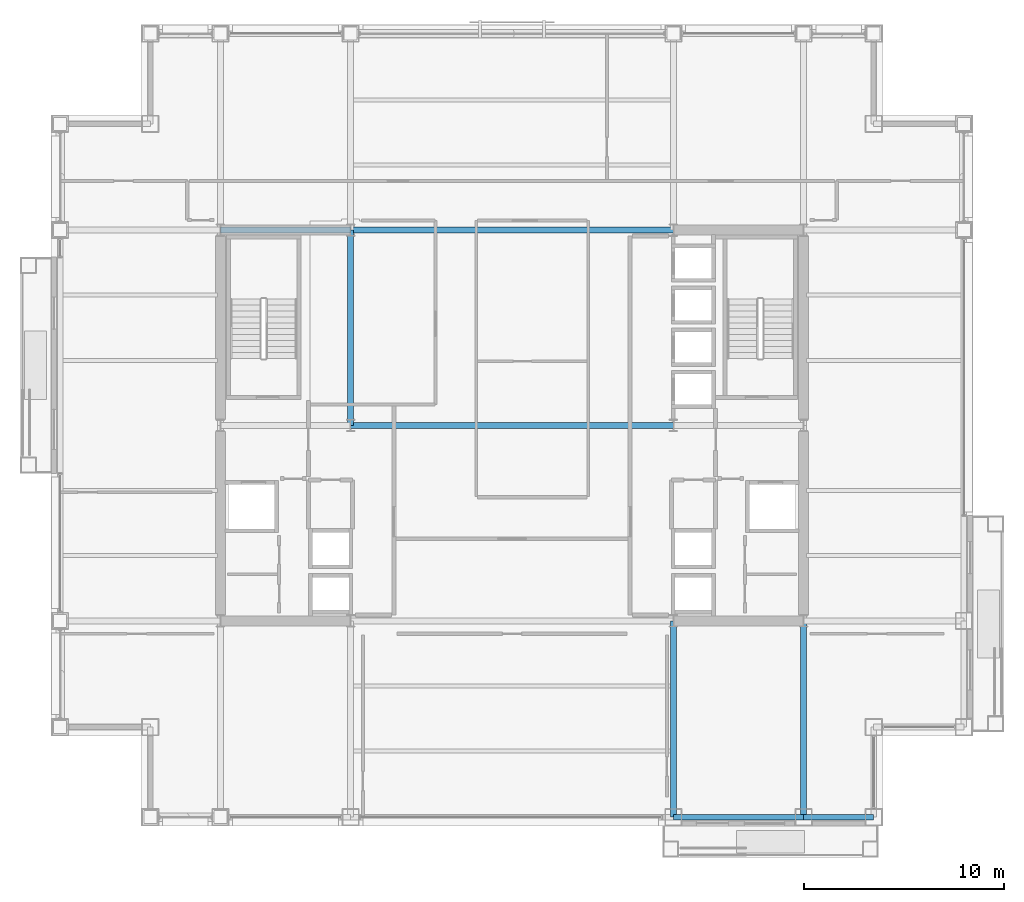
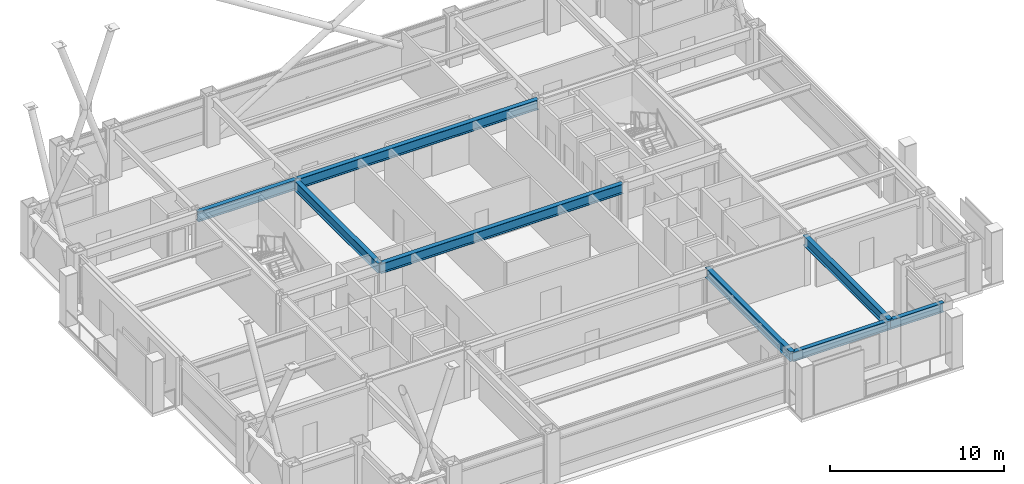
# One storey, part 13 of 34: 8 beams.
"""IFC4 building model written with IfcOpenShell, lengths in metres."""

from ifc_helpers import new_model, si_unit, direction, frame, origin, origin_2d, place, context, subcontext, project, spatial, i_section, extrude, material, material_profile, profile_set, type_object, element, save


model = new_model("IFC4")

# Units and contexts
model_context = context("Model", 3, precision=1e-05, world=origin(), true_north=direction((0.0, 1.0)))
body_context = subcontext(model_context, "Body", "Model", "MODEL_VIEW")
ifc_project = project(units=[si_unit("LENGTHUNIT", "METRE"), si_unit("AREAUNIT", "SQUARE_METRE"), si_unit("VOLUMEUNIT", "CUBIC_METRE"), si_unit("PLANEANGLEUNIT", "RADIAN"), si_unit("MASSUNIT", "GRAM", prefix="KILO")], contexts=[model_context])

# Site, building, storey
site_placement = place(None, origin())
site = spatial("IfcSite", under=ifc_project, at=site_placement, CompositionType="ELEMENT")
building_placement = place(site_placement, origin())
building = spatial("IfcBuilding", under=site, at=building_placement, Name="Brelmoor Portico Tower", CompositionType="ELEMENT")
storey_placement = place(building_placement, frame((0.0, 0.0, 99.0)))
storey = spatial("IfcBuildingStorey", under=building, at=storey_placement, Name="L25", CompositionType="ELEMENT", Elevation=99.0)

# Beams
ifc_material = material(Name="Steel Q355B", Category="steel")
ifc_material_profile_1 = material_profile(ifc_material, i_section(OverallWidth=0.300048828125, OverallDepth=0.699951171875, WebThickness=0.012939453125, FlangeThickness=0.02392578125, at=origin_2d()), Name="HN 700x300x13x24")
ifc_profile_set_1 = profile_set([ifc_material_profile_1], Name="Steel Q355B")
beam_type_1 = type_object("IfcBeamType", Name="BM-PG-700", PredefinedType="BEAM", material=ifc_profile_set_1)
beam_1_placement = place(storey_placement, frame((-8.050048828125, 0.0, 3.050048828125), z_axis=(0.0, 1.0, 0.0), x_axis=(-1.0, 0.0, 0.0)))
element("IfcBeam", 1, at=beam_1_placement, inside=storey, type_object=beam_type_1, Name="L25 Primary Floor Girder PG-06", PredefinedType="BEAM", context=body_context, shape_type="SweptSolid", body=[
    extrude(i_section(OverallWidth=0.300048828125, OverallDepth=0.699951171875, WebThickness=0.012939453125, FlangeThickness=0.02392578125, at=origin_2d()), origin(), (0.0, 0.0, 1.0), 9.75),
])
for number, where, z_axis, x_axis, name in (
    (2, (8.050048828125, -19.550048828125, 3.050048828125), (0.0, 1.0, 0.0), (-1.0, 0.0, 0.0), "L25 Primary Floor Girder PG-08"),
    (3, (14.550048828125, -19.550048828125, 3.050048828125), (0.0, 1.0, 0.0), (-1.0, 0.0, 0.0), "L25 Primary Floor Girder PG-10"),
):
    element("IfcBeam", number, at=place(storey_placement, frame(where, z_axis=z_axis, x_axis=x_axis)), inside=storey, type_object=beam_type_1, Name=name, PredefinedType="BEAM", context=body_context, shape_type="SweptSolid", body=[
        extrude(i_section(OverallWidth=0.300048828125, OverallDepth=0.699951171875, WebThickness=0.012939453125, FlangeThickness=0.02392578125, at=origin_2d()), origin(), (0.0, 0.0, 1.0), 9.800048828125),
    ])
beam_2_placement = place(storey_placement, frame((-8.050048828125, 0.0, 3.050048828125), z_axis=(1.0, 0.0, 0.0), x_axis=(0.0, 1.0, 0.0)))
element("IfcBeam", 4, at=beam_2_placement, inside=storey, type_object=beam_type_1, Name="L25 Primary Floor Girder PG-20", PredefinedType="BEAM", context=body_context, shape_type="SweptSolid", body=[
    extrude(i_section(OverallWidth=0.300048828125, OverallDepth=0.699951171875, WebThickness=0.012939453125, FlangeThickness=0.02392578125, at=origin_2d()), origin(), (0.0, 0.0, 1.0), 16.10009765625),
])
beam_3_placement = place(storey_placement, frame((-14.550048828125, 9.75, 3.050048828125), z_axis=(1.0, 0.0, 0.0), x_axis=(0.0, 1.0, 0.0)))
element("IfcBeam", 5, at=beam_3_placement, inside=storey, type_object=beam_type_1, Name="L25 Primary Floor Girder PG-23", PredefinedType="BEAM", context=body_context, shape_type="SweptSolid", body=[
    extrude(i_section(OverallWidth=0.300048828125, OverallDepth=0.699951171875, WebThickness=0.012939453125, FlangeThickness=0.02392578125, at=origin_2d()), origin(), (0.0, 0.0, 1.0), 6.5),
])
beam_4_placement = place(storey_placement, frame((-8.050048828125, 9.75, 3.050048828125), z_axis=(1.0, 0.0, 0.0), x_axis=(0.0, 1.0, 0.0)))
element("IfcBeam", 6, at=beam_4_placement, inside=storey, type_object=beam_type_1, Name="L25 Primary Floor Girder PG-24", PredefinedType="BEAM", context=body_context, shape_type="SweptSolid", body=[
    extrude(i_section(OverallWidth=0.300048828125, OverallDepth=0.699951171875, WebThickness=0.012939453125, FlangeThickness=0.02392578125, at=origin_2d()), origin(), (0.0, 0.0, 1.0), 16.10009765625),
])
ifc_material_profile_2 = material_profile(ifc_material, i_section(OverallWidth=0.280029296875, OverallDepth=0.64990234375, WebThickness=0.012939453125, FlangeThickness=0.02197265625, at=origin_2d()), Name="HN 650x280x13x22")
ifc_profile_set_2 = profile_set([ifc_material_profile_2], Name="Steel Q355B")
beam_type_2 = type_object("IfcBeamType", Name="BM-SP-650", PredefinedType="SPANDREL", material=ifc_profile_set_2)
beam_5_placement = place(storey_placement, frame((8.050048828125, -19.550048828125, 3.074951171875), z_axis=(1.0, 0.0, 0.0), x_axis=(0.0, 1.0, 0.0)))
element("IfcBeam", 7, at=beam_5_placement, inside=storey, type_object=beam_type_2, Name="L25 Perimeter Spandrel Beam SP-04", PredefinedType="SPANDREL", context=body_context, shape_type="SweptSolid", body=[
    extrude(i_section(OverallWidth=0.280029296875, OverallDepth=0.64990234375, WebThickness=0.012939453125, FlangeThickness=0.02197265625, at=origin_2d()), origin(), (0.0, 0.0, 1.0), 6.5),
])
beam_6_placement = place(storey_placement, frame((14.550048828125, -19.550048828125, 3.074951171875), z_axis=(1.0, 0.0, 0.0), x_axis=(0.0, 1.0, 0.0)))
element("IfcBeam", 8, at=beam_6_placement, inside=storey, type_object=beam_type_2, Name="L25 Perimeter Spandrel Beam SP-05", PredefinedType="SPANDREL", context=body_context, shape_type="SweptSolid", body=[
    extrude(i_section(OverallWidth=0.280029296875, OverallDepth=0.64990234375, WebThickness=0.012939453125, FlangeThickness=0.02197265625, at=origin_2d()), origin(), (0.0, 0.0, 1.0), 3.5),
])

save(model, "model.ifc")
